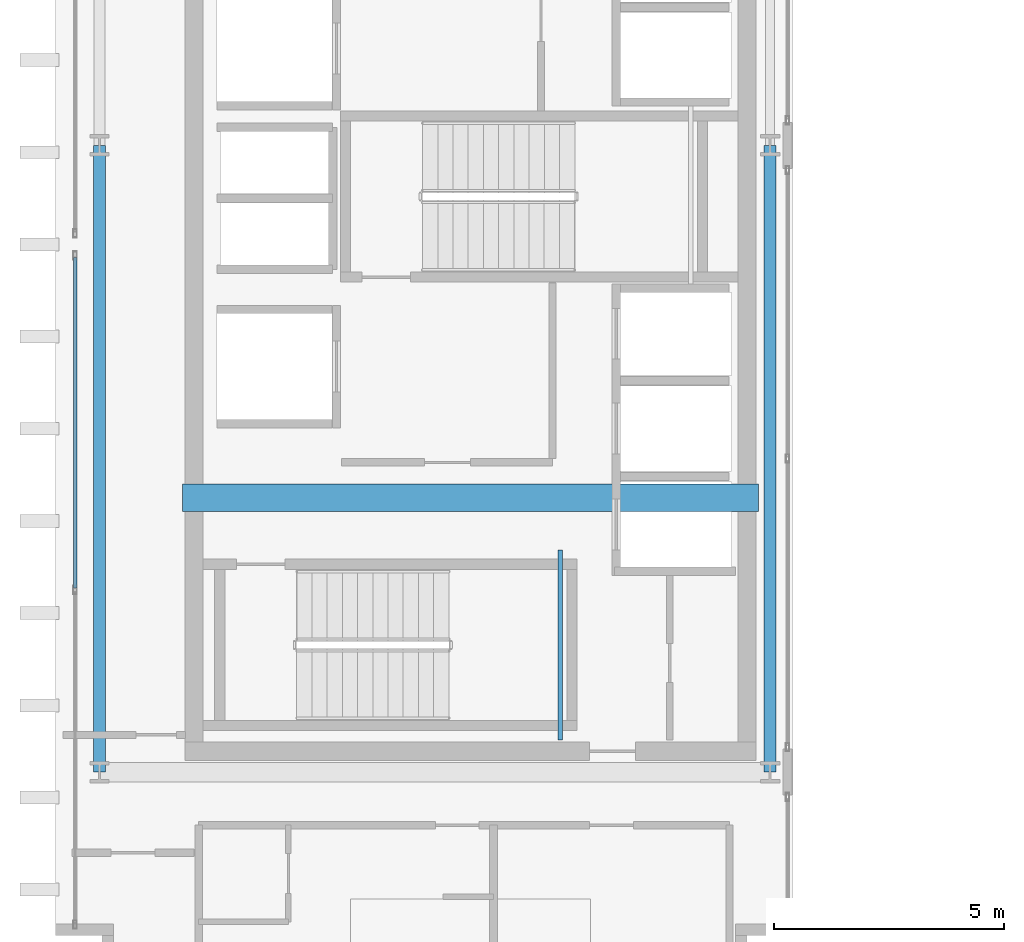
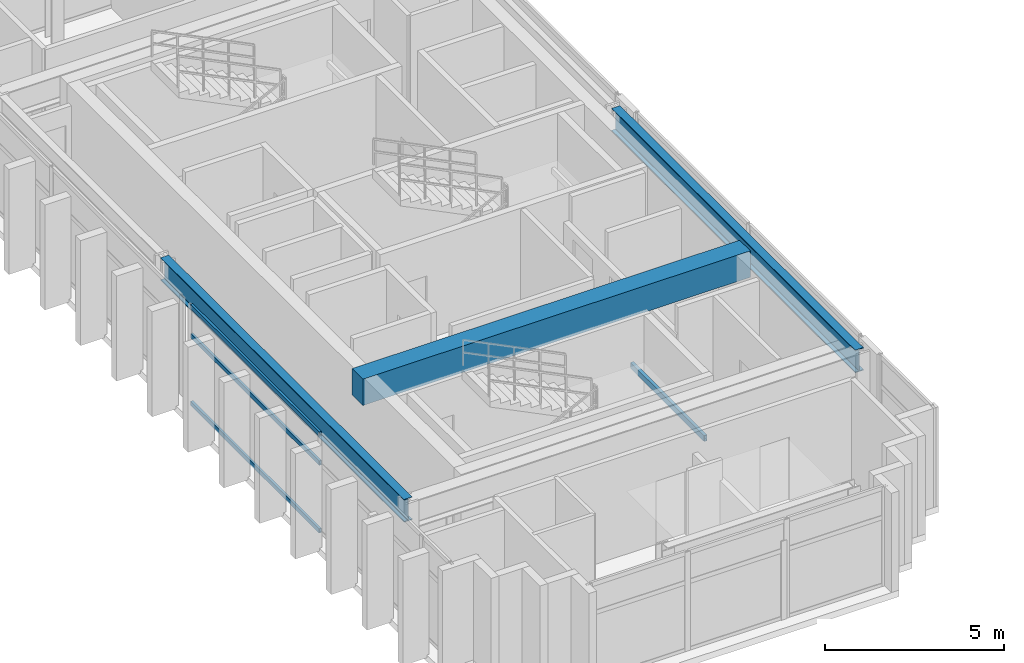
# One storey, part 3 of 25: 4 beams, 3 members, 1 element without a shape of its own.
"""IFC4 building model written with IfcOpenShell, lengths in metres."""

from ifc_helpers import new_model, si_unit, direction, frame, origin, origin_2d, place, context, subcontext, project, spatial, rectangle, hollow_rectangle, i_section, extrude, source, transform, mapped, material, layer, layer_set, material_profile, profile_set, type_object, element, aggregate, save


model = new_model("IFC4")

# Units and contexts
model_context = context("Model", 3, precision=1e-05, world=origin(), true_north=direction((0.0, 1.0)))
body_context = subcontext(model_context, "Body", "Model", "MODEL_VIEW")
ifc_project = project(units=[si_unit("LENGTHUNIT", "METRE"), si_unit("AREAUNIT", "SQUARE_METRE"), si_unit("VOLUMEUNIT", "CUBIC_METRE"), si_unit("PLANEANGLEUNIT", "RADIAN"), si_unit("MASSUNIT", "GRAM", prefix="KILO")], contexts=[model_context])

# Site, building, storey
site_placement = place(None, origin())
site = spatial("IfcSite", under=ifc_project, at=site_placement, CompositionType="ELEMENT")
building_placement = place(site_placement, origin())
building = spatial("IfcBuilding", under=site, at=building_placement, Name="Ocotamira Hotel", CompositionType="ELEMENT")
storey_placement = place(building_placement, frame((0.0, 0.0, 261.60009765625)))
storey = spatial("IfcBuildingStorey", under=building, at=storey_placement, Name="L66", CompositionType="ELEMENT", Elevation=261.60009765625)

# Beams
ifc_material_1 = material(Name="Concrete C50/60", Category="concrete")
ifc_material_profile_1 = material_profile(ifc_material_1, rectangle(XDim=0.60009765625, YDim=0.89990234375, at=origin_2d()), Name="RC600X900")
ifc_profile_set_1 = profile_set([ifc_material_profile_1], Name="Concrete C50/60")
beam_type_1 = type_object("IfcBeamType", Name="BM-LINK-RC600", PredefinedType="LINTEL", material=ifc_profile_set_1)
shared_shape_1 = source(origin(), body_context, "Body", "SweptSolid", [
    extrude(rectangle(XDim=0.60009765625, YDim=0.89990234375, at=origin_2d()), origin(), (0.0, 0.0, 1.0), 12.5),
])
beam_1_placement = place(storey_placement, frame((10.75, 20.5, 2.929931640625), z_axis=(1.0, 0.0, 0.0), x_axis=(0.0, 1.0, 0.0)))
element("IfcBeam", 1, at=beam_1_placement, inside=storey, type_object=beam_type_1, Name="L66 West Core Coupling Beam", PredefinedType="LINTEL", context=body_context, shape_type="MappedRepresentation", body=[
    mapped(shared_shape_1, transform((0.0, 0.0, 0.0), scale=1.0)),
])
ifc_material_2 = material(Name="Steel ASTM A500 Grade C", Category="steel")
ifc_material_profile_2 = material_profile(ifc_material_2, hollow_rectangle(XDim=0.10009765625, YDim=0.199951171875, WallThickness=0.008056640625, at=origin_2d()), Name="HSS200X100X8")
ifc_profile_set_2 = profile_set([ifc_material_profile_2], Name="Steel ASTM A500 Grade C")
beam_type_2 = type_object("IfcBeamType", Name="BM-STLDG-HSS200", PredefinedType="BEAM", material=ifc_profile_set_2)
shared_shape_2 = source(origin(), body_context, "Body", "SweptSolid", [
    extrude(hollow_rectangle(XDim=0.10009765625, YDim=0.199951171875, WallThickness=0.008056640625, at=origin_2d()), origin(), (0.0, 0.0, 1.0), 4.1201171875),
])
beam_2_placement = place(storey_placement, frame((18.949951171875, 15.25, 1.5), z_axis=(0.0, 1.0, 0.0), x_axis=(-1.0, 0.0, 0.0)))
element("IfcBeam", 2, at=beam_2_placement, inside=storey, type_object=beam_type_2, Name="L66 Stair ST-1 Landing Bearer 1", PredefinedType="BEAM", context=body_context, shape_type="MappedRepresentation", body=[
    mapped(shared_shape_2, transform((0.0, 0.0, 0.0), scale=1.0)),
])
ifc_material_3 = material(Name="Steel ASTM A992 Grade 50", Category="steel")
ifc_material_profile_3 = material_profile(ifc_material_3, i_section(OverallWidth=0.26611328125, OverallDepth=0.779052734375, WebThickness=0.0166015625, FlangeThickness=0.030029296875, FilletRadius=0.01806640625, at=origin_2d()), Name="W30X148")
ifc_profile_set_3 = profile_set([ifc_material_profile_3], Name="Steel ASTM A992 Grade 50")
beam_type_3 = type_object("IfcBeamType", Name="BM-GIRD-W30X148", PredefinedType="BEAM", material=ifc_profile_set_3)
shared_shape_3 = source(origin(), body_context, "Body", "SweptSolid", [
    extrude(i_section(OverallWidth=0.26611328125, OverallDepth=0.779052734375, WebThickness=0.0166015625, FlangeThickness=0.030029296875, FilletRadius=0.01806640625, at=origin_2d()), origin(), (0.0, 0.0, 1.0), 13.599853515625),
])
for number, where, z_axis, x_axis, name in (
    (3, (8.949951171875, 14.550048828125, 2.990478515625), (0.0, 1.0, 0.0), (-1.0, 0.0, 0.0), "L66 Beam X8.95 Y14.55-28.15"),
    (4, (23.5, 14.550048828125, 2.990478515625), (0.0, 1.0, 0.0), (-1.0, 0.0, 0.0), "L66 Beam X23.5 Y14.55-28.15"),
):
    element("IfcBeam", number, at=place(storey_placement, frame(where, z_axis=z_axis, x_axis=x_axis)), inside=storey, type_object=beam_type_3, Name=name, PredefinedType="BEAM", context=body_context, shape_type="MappedRepresentation", body=[
        mapped(shared_shape_3, transform((0.0, 0.0, 0.0), scale=1.0)),
    ])

# Curtain wall, members
ifc_material_4 = material(Name="Anodised pale-metal aluminium and solar glass", Category="aluminium")
ifc_layer = layer(ifc_material_4, 0.2099609375)
ifc_layer_set = layer_set([ifc_layer], Name="Anodised pale-metal aluminium and solar glass")
curtain_wall_type = type_object("IfcCurtainWallType", Name="CW-SYS7-PEAK", PredefinedType="NOTDEFINED", material=ifc_layer_set)
curtain_wall_placement = place(storey_placement, origin())
curtain_wall = element("IfcCurtainWall", 5, at=curtain_wall_placement, inside=storey, type_object=curtain_wall_type, Name="L66 Curtain Wall CW-7 CW-L66-WO1", PredefinedType="NOTDEFINED")
ifc_material_5 = material(Name="Anodised pale-metal aluminium 6063-T6", Category="aluminium")
ifc_material_profile_4 = material_profile(ifc_material_5, hollow_rectangle(XDim=0.074951171875, YDim=0.14990234375, WallThickness=0.006103515625, at=origin_2d()), Name="HSS150X75X6")
ifc_profile_set_4 = profile_set([ifc_material_profile_4], Name="Anodised pale-metal aluminium 6063-T6")
member_type = type_object("IfcMemberType", Name="CWT-150X75", PredefinedType="USERDEFINED", material=ifc_profile_set_4)
shared_shape_4 = source(origin(), body_context, "Body", "SweptSolid", [
    extrude(hollow_rectangle(XDim=0.074951171875, YDim=0.14990234375, WallThickness=0.006103515625, at=origin_2d()), origin(), (0.0, 0.0, 1.0), 7.179931640625),
])
member_1_placement = place(storey_placement, frame((8.419921875, 18.5400390625, 0.037353515625), z_axis=(0.0, 1.0, 0.0), x_axis=(-1.0, 0.0, 0.0)))
member_1 = element("IfcMember", 6, at=member_1_placement, type_object=member_type, Name="CW-7 transom 2.1", ObjectType="TRANSOM", PredefinedType="USERDEFINED", context=body_context, shape_type="MappedRepresentation", body=[
    mapped(shared_shape_4, transform((0.0, 0.0, 0.0), scale=1.0)),
])
member_2_placement = place(storey_placement, frame((8.419921875, 18.5400390625, 2.349853515625), z_axis=(0.0, 1.0, 0.0), x_axis=(-1.0, 0.0, 0.0)))
member_2 = element("IfcMember", 7, at=member_2_placement, type_object=member_type, Name="CW-7 transom 2.2", ObjectType="TRANSOM", PredefinedType="USERDEFINED", context=body_context, shape_type="MappedRepresentation", body=[
    mapped(shared_shape_4, transform((0.0, 0.0, 0.0), scale=1.0)),
])
member_3_placement = place(storey_placement, frame((8.419921875, 18.5400390625, 3.34228515625), z_axis=(0.0, 1.0, 0.0), x_axis=(-1.0, 0.0, 0.0)))
member_3 = element("IfcMember", 8, at=member_3_placement, type_object=member_type, Name="CW-7 transom 2.3", ObjectType="TRANSOM", PredefinedType="USERDEFINED", context=body_context, shape_type="MappedRepresentation", body=[
    mapped(shared_shape_4, transform((0.0, 0.0, 0.0), scale=1.0)),
])
aggregate(curtain_wall, [member_1, member_2, member_3])

save(model, "model.ifc")
